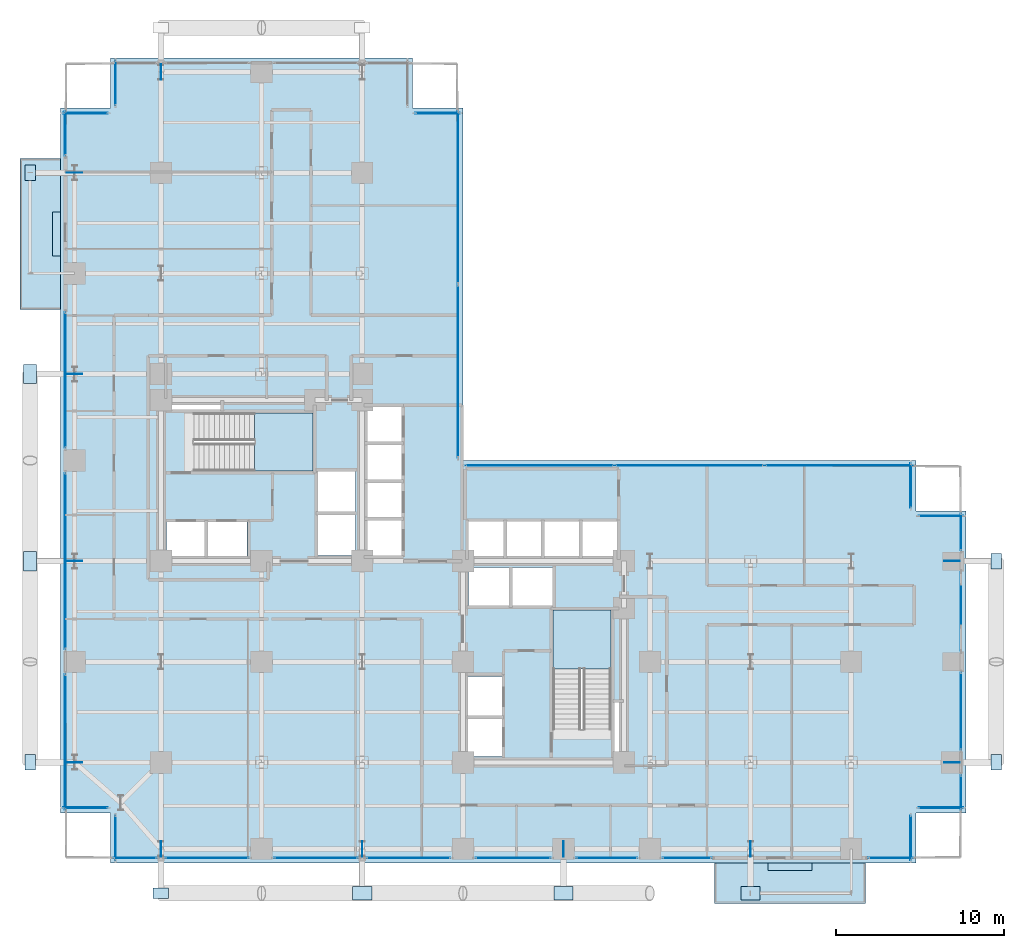
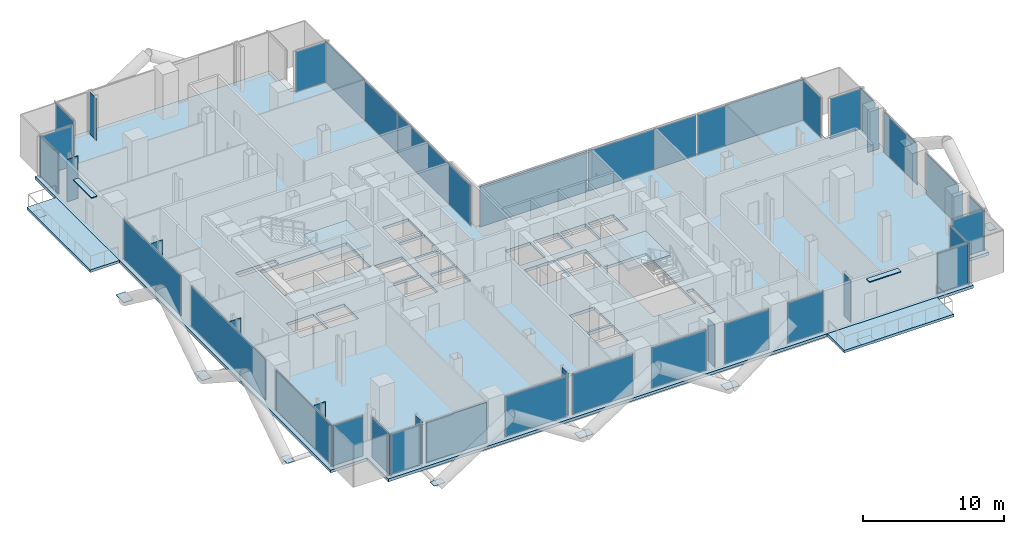
# One storey, part 17 of 27: 53 plates, 5 slabs, 29 elements without a shape of their own.
"""IFC4 building model written with IfcOpenShell, lengths in metres."""

import ifcopenshell
import ifcopenshell.guid

model = None  # the IFC model being written
_history = None  # IfcOwnerHistory: only IFC2X3 demands one
_inside = {}  # id of a spatial element -> (the spatial element, [elements in it])
_under = {}  # id of a project, library or spatial element -> (it, [spatial elements below it])
_declared = {}  # id of a project -> (the project, [libraries it declares])
_typed = {}  # id of a type object -> (the type object, [elements of that type])
_made_of = {}  # id of a material, layer set ... -> (it, [elements and type objects made of it])


def new_model(schema):
    """Start an empty IFC model of exactly this schema.

    Asked for "IFC4X3", IfcOpenShell would pick the latest addendum, in which some entities
    have other attributes; the version numbers below select the first issue.
    IFC2X3 requires an IfcOwnerHistory on every rooted entity: one is made here for all.
    """
    global model, _history
    if schema == "IFC4X3":
        model = ifcopenshell.file(schema_version=(4, 3, 0, 0))
    else:
        model = ifcopenshell.file(schema=schema)
    _inside.clear()
    _under.clear()
    _declared.clear()
    _typed.clear()
    _made_of.clear()
    _history = None
    if model.schema == "IFC2X3":
        org = make("IfcOrganization", Name="unknown")
        user = make(
            "IfcPersonAndOrganization",
            ThePerson=make("IfcPerson", FamilyName="unknown"),
            TheOrganization=org,
        )
        app = make(
            "IfcApplication",
            ApplicationDeveloper=org,
            Version="unknown",
            ApplicationFullName="unknown",
            ApplicationIdentifier="unknown",
        )
        _history = make(
            "IfcOwnerHistory",
            OwningUser=user,
            OwningApplication=app,
            ChangeAction="ADDED",
            CreationDate=0,
        )
    return model


def make(cls, **values):
    """One entity of the class cls with the attributes given. An attribute that is None is left unset."""
    return model.create_entity(
        cls, **{name: value for name, value in values.items() if value is not None}
    )


def rooted(cls, **values):
    """An entity with a GlobalId (a new one), such as an element, a storey or a relation."""
    return make(cls, GlobalId=ifcopenshell.guid.new(), OwnerHistory=_history, **values)


def si_unit(unit_type, name, prefix=None):
    """IfcSIUnit, for example si_unit("LENGTHUNIT", "METRE", prefix="MILLI")."""
    return make("IfcSIUnit", UnitType=unit_type, Prefix=prefix, Name=name)


def assignment(units):
    """IfcUnitAssignment: the units of a project."""
    return None if units is None else make("IfcUnitAssignment", Units=units)


def point(xyz):
    """IfcCartesianPoint."""
    return None if xyz is None else make("IfcCartesianPoint", Coordinates=xyz)


def direction(xyz):
    """IfcDirection."""
    return None if xyz is None else make("IfcDirection", DirectionRatios=xyz)


def frame(location, z_axis=None, x_axis=None):
    """IfcAxis2Placement3D, a coordinate frame: its origin and axes. An axis left out is left unset."""
    return make(
        "IfcAxis2Placement3D",
        Location=point(location),
        Axis=direction(z_axis),
        RefDirection=direction(x_axis),
    )


def frame_2d(location, x_axis=None):
    """IfcAxis2Placement2D, a coordinate frame in the plane: its origin and x axis."""
    return make(
        "IfcAxis2Placement2D", Location=point(location), RefDirection=direction(x_axis)
    )


def origin():
    """The frame at (0, 0, 0) with its axes left unset."""
    return frame((0.0, 0.0, 0.0))


def origin_2d():
    """The frame at (0, 0) in the plane with its x axis left unset."""
    return frame_2d((0.0, 0.0))


def place(relative_to, where):
    """IfcLocalPlacement: puts the frame where relative to a parent placement (None: the world)."""
    return make(
        "IfcLocalPlacement", PlacementRelTo=relative_to, RelativePlacement=where
    )


def context(
    kind, dimensions, precision=None, world=None, true_north=None, identifier=None
):
    """IfcGeometricRepresentationContext, for example the 3D "Model" context."""
    return make(
        "IfcGeometricRepresentationContext",
        ContextIdentifier=identifier,
        ContextType=kind,
        CoordinateSpaceDimension=dimensions,
        Precision=precision,
        WorldCoordinateSystem=world,
        TrueNorth=true_north,
    )


def subcontext(parent, identifier, kind, view, scale=None):
    """IfcGeometricRepresentationSubContext, for example "Body" below "Model"."""
    return make(
        "IfcGeometricRepresentationSubContext",
        ContextIdentifier=identifier,
        ContextType=kind,
        ParentContext=parent,
        TargetScale=scale,
        TargetView=view,
    )


def project(units=None, contexts=None):
    """IfcProject with its units and contexts."""
    return rooted(
        "IfcProject",
        Name="project",
        RepresentationContexts=contexts,
        UnitsInContext=assignment(units),
    )


def spatial(cls, under=None, at=None, **own):
    """A site, building, storey or space (cls), placed at a placement, below another one or the project."""
    s = rooted(cls, ObjectPlacement=at, **own)
    if under is not None:
        _under.setdefault(under.id(), (under, []))[1].append(s)
    return s


def polyline(points):
    """IfcPolyline through the points."""
    return make("IfcPolyline", Points=[point(p) for p in points])


def profile(cls, at=None, kind="AREA", **sizes):
    """A parametric profile (cls). Its sizes go by their IFC names, for example OverallWidth=200.0."""
    return make(cls, ProfileType=kind, Position=at, **sizes)


def rectangle(**sizes):
    """IfcRectangleProfileDef."""
    return profile("IfcRectangleProfileDef", **sizes)


def outline(outer, holes=None, kind="AREA"):
    """IfcArbitraryClosedProfileDef: a profile drawn as a closed curve; with holes, ...WithVoids."""
    if holes is None:
        return make("IfcArbitraryClosedProfileDef", ProfileType=kind, OuterCurve=outer)
    return make(
        "IfcArbitraryProfileDefWithVoids",
        ProfileType=kind,
        OuterCurve=outer,
        InnerCurves=holes,
    )


def extrude(swept, where, along, depth):
    """IfcExtrudedAreaSolid: the profile swept, set in the frame where, extruded along a direction by depth."""
    return make(
        "IfcExtrudedAreaSolid",
        SweptArea=swept,
        Position=where,
        ExtrudedDirection=direction(along),
        Depth=depth,
    )


def shape(context_of_items, identifier, shape_type, items):
    """IfcShapeRepresentation: the items that make up one representation, for example the "Body"."""
    return make(
        "IfcShapeRepresentation",
        ContextOfItems=context_of_items,
        RepresentationIdentifier=identifier,
        RepresentationType=shape_type,
        Items=items,
    )


def material(Name=None, Category=None):
    """IfcMaterial."""
    return make("IfcMaterial", Name=Name, Category=Category)


def layer(
    of_material, thickness, ventilated=None, Name=None, Category=None, Priority=None
):
    """IfcMaterialLayer: one layer of a wall or slab, of a material (None: an air gap)."""
    return make(
        "IfcMaterialLayer",
        Material=of_material,
        LayerThickness=thickness,
        IsVentilated=ventilated,
        Name=Name,
        Category=Category,
        Priority=Priority,
    )


def layer_set(layers, Name=None):
    """IfcMaterialLayerSet."""
    return make("IfcMaterialLayerSet", MaterialLayers=layers, LayerSetName=Name)


def made_of(thing, what):
    """Note that an element or type object is made of a material, layer set ...; save() writes the relation."""
    if what is not None:
        _made_of.setdefault(what.id(), (what, []))[1].append(thing)
    return thing


def type_object(cls, material=None, **own):
    """A type object (cls), such as IfcWallType, which elements share."""
    return made_of(rooted(cls, **own), material)


def element(
    cls,
    number,
    at=None,
    inside=None,
    cuts=None,
    type_object=None,
    material=None,
    context=None,
    identifier="Body",
    shape_type=None,
    held_by="IfcProductDefinitionShape",
    body=None,
    shapes=None,
    **own,
):
    """One element of the class cls, such as IfcWall. Its Tag is "e" and its number.

    at: its placement. inside: the storey or other place that contains it. cuts: it is an
    opening in that element (IfcRelVoidsElement). A single representation is given by context,
    identifier, shape_type and body (its items); several are given by shapes. held_by: the class
    of the entity that holds the representations. save() writes the other relations.
    """
    e = rooted(cls, Tag="e%d" % number, ObjectPlacement=at, **own)
    if body is not None:
        shapes = [shape(context, identifier, shape_type, body)]
    if shapes is not None:
        e.Representation = make(held_by, Representations=shapes)
    if inside is not None:
        _inside.setdefault(inside.id(), (inside, []))[1].append(e)
    if cuts is not None:
        rooted(
            "IfcRelVoidsElement", RelatingBuildingElement=cuts, RelatedOpeningElement=e
        )
    if type_object is not None:
        _typed.setdefault(type_object.id(), (type_object, []))[1].append(e)
    return made_of(e, material)


def aggregate(whole, parts):
    """IfcRelAggregates: a whole, such as a stair, and the parts it consists of."""
    return rooted("IfcRelAggregates", RelatingObject=whole, RelatedObjects=parts)


def save(model, path):
    """Write the relations noted so far, then the file.

    IfcRelAggregates (storeys below a building ...), IfcRelContainedInSpatialStructure (elements
    in a storey), IfcRelDefinesByType, IfcRelAssociatesMaterial and IfcRelDeclares: one each for
    every whole, place, type object, material and project.
    """
    for whole, parts in _under.values():
        aggregate(whole, parts)
    for where, things in _inside.values():
        rooted(
            "IfcRelContainedInSpatialStructure",
            RelatedElements=things,
            RelatingStructure=where,
        )
    for kind, things in _typed.values():
        rooted("IfcRelDefinesByType", RelatedObjects=things, RelatingType=kind)
    for what, things in _made_of.values():
        rooted("IfcRelAssociatesMaterial", RelatedObjects=things, RelatingMaterial=what)
    for by, libraries in _declared.values():
        rooted("IfcRelDeclares", RelatingContext=by, RelatedDefinitions=libraries)
    model.write(path)


model = new_model("IFC4")

# Units and contexts
model_context = context("Model", 3, precision=1e-05, world=origin(), true_north=direction((0.0, 1.0)))
body_context = subcontext(model_context, "Body", "Model", "MODEL_VIEW")
ifc_project = project(units=[si_unit("LENGTHUNIT", "METRE"), si_unit("AREAUNIT", "SQUARE_METRE"), si_unit("VOLUMEUNIT", "CUBIC_METRE"), si_unit("PLANEANGLEUNIT", "RADIAN"), si_unit("MASSUNIT", "GRAM", prefix="KILO"), si_unit("THERMODYNAMICTEMPERATUREUNIT", "KELVIN"), si_unit("POWERUNIT", "WATT")], contexts=[model_context])

# Site, building, storey
site_placement = place(None, origin())
site = spatial("IfcSite", under=ifc_project, at=site_placement, CompositionType="ELEMENT")
building_placement = place(site_placement, origin())
building = spatial("IfcBuilding", under=site, at=building_placement, Name="Svarakhadi Broadcast Tower", CompositionType="ELEMENT")
storey_placement = place(building_placement, frame((0.0, 0.0, 87.0)))
storey = spatial("IfcBuildingStorey", under=building, at=storey_placement, Name="L20", CompositionType="ELEMENT", Elevation=87.0)

# Curtain wall, plate
ifc_material_1 = material(Name="Anodised Bronze Aluminium AA 6063-T6", Category="aluminium")
ifc_layer_1 = layer(ifc_material_1, 0.219970703125)
ifc_layer_set_1 = layer_set([ifc_layer_1], Name="Anodised Bronze Aluminium AA 6063-T6")
curtain_wall_type = type_object("IfcCurtainWallType", Name="CW_Sys_02", PredefinedType="NOTDEFINED", material=ifc_layer_set_1)
curtain_wall_1_placement = place(storey_placement, origin())
curtain_wall_1 = element("IfcCurtainWall", 1, at=curtain_wall_1_placement, inside=storey, type_object=curtain_wall_type, Name="L20 Unitised Facade Curtain Wall 01", PredefinedType="NOTDEFINED")
ifc_material_2 = material(Name="Double Low-E Laminated Acoustic Glass IGU 36 mm", Category="glass")
ifc_layer_2 = layer(ifc_material_2, 0.035888671875)
ifc_layer_set_2 = layer_set([ifc_layer_2], Name="Double Low-E Laminated Acoustic Glass IGU 36 mm")
plate_type_1 = type_object("IfcPlateType", Name="CW_Sys_02_Pnl", PredefinedType="CURTAIN_PANEL", material=ifc_layer_set_2)
plate_1_placement = place(storey_placement, frame((1.5, 3.300048828125, 0.074951171875), z_axis=(0.0, 0.0, 1.0), x_axis=(-1.0, 0.0, 0.0)))
plate_1 = element("IfcPlate", 2, at=plate_1_placement, type_object=plate_type_1, Name="CW-02 panel 1.1", PredefinedType="CURTAIN_PANEL", context=body_context, shape_type="SweptSolid", body=[
    extrude(rectangle(XDim=2.64990234375, YDim=0.035888671875, at=origin_2d()), origin(), (0.0, 0.0, 1.0), 3.5),
])
aggregate(curtain_wall_1, [plate_1])

curtain_wall_2_placement = place(storey_placement, origin())
curtain_wall_2 = element("IfcCurtainWall", 3, at=curtain_wall_2_placement, inside=storey, type_object=curtain_wall_type, Name="L20 West Curtain Wall 02 Bay 1", PredefinedType="NOTDEFINED")
plate_2_placement = place(storey_placement, frame((0.300048828125, 7.2099609375, 0.074951171875), z_axis=(0.0, 0.0, 1.0), x_axis=(0.0, 1.0, 0.0)))
plate_2 = element("IfcPlate", 4, at=plate_2_placement, type_object=plate_type_1, Name="CW-02 panel 1.1", PredefinedType="CURTAIN_PANEL", context=body_context, shape_type="SweptSolid", body=[
    extrude(rectangle(XDim=8.070068359375, YDim=0.035888671875, at=origin_2d()), origin(), (0.0, 0.0, 1.0), 3.5),
])
aggregate(curtain_wall_2, [plate_2])

curtain_wall_3_placement = place(storey_placement, origin())
curtain_wall_3 = element("IfcCurtainWall", 5, at=curtain_wall_3_placement, inside=storey, type_object=curtain_wall_type, Name="L20 West Curtain Wall 02 Bay 2", PredefinedType="NOTDEFINED")
plate_3_placement = place(storey_placement, frame((0.300048828125, 18.0, 0.074951171875), z_axis=(0.0, 0.0, 1.0), x_axis=(0.0, 1.0, 0.0)))
plate_3 = element("IfcPlate", 6, at=plate_3_placement, type_object=plate_type_1, Name="CW-02 panel 1.1", PredefinedType="CURTAIN_PANEL", context=body_context, shape_type="SweptSolid", body=[
    extrude(rectangle(XDim=10.489990234375, YDim=0.035888671875, at=origin_2d()), origin(), (0.0, 0.0, 1.0), 3.5),
])
aggregate(curtain_wall_3, [plate_3])

curtain_wall_4_placement = place(storey_placement, origin())
curtain_wall_4 = element("IfcCurtainWall", 7, at=curtain_wall_4_placement, inside=storey, type_object=curtain_wall_type, Name="L20 West Curtain Wall 02 Bay 3", PredefinedType="NOTDEFINED")
plate_4_placement = place(storey_placement, frame((0.300048828125, 28.7900390625, 0.074951171875), z_axis=(0.0, 0.0, 1.0), x_axis=(0.0, 1.0, 0.0)))
plate_4 = element("IfcPlate", 8, at=plate_4_placement, type_object=plate_type_1, Name="CW-02 panel 1.1", PredefinedType="CURTAIN_PANEL", context=body_context, shape_type="SweptSolid", body=[
    extrude(rectangle(XDim=8.070068359375, YDim=0.035888671875, at=origin_2d()), origin(), (0.0, 0.0, 1.0), 3.5),
])
aggregate(curtain_wall_4, [plate_4])

curtain_wall_5_placement = place(storey_placement, origin())
curtain_wall_5 = element("IfcCurtainWall", 9, at=curtain_wall_5_placement, inside=storey, type_object=curtain_wall_type, Name="L20 West Curtain Wall 03", PredefinedType="NOTDEFINED")
plate_5_placement = place(storey_placement, frame((0.300048828125, 43.5, 0.074951171875), z_axis=(0.0, 0.0, 1.0), x_axis=(0.0, 1.0, 0.0)))
plate_5 = element("IfcPlate", 10, at=plate_5_placement, type_object=plate_type_1, Name="CW-02 panel 1.1", PredefinedType="CURTAIN_PANEL", context=body_context, shape_type="SweptSolid", body=[
    extrude(rectangle(XDim=2.64990234375, YDim=0.035888671875, at=origin_2d()), origin(), (0.0, 0.0, 1.0), 3.5),
])
aggregate(curtain_wall_5, [plate_5])

curtain_wall_6_placement = place(storey_placement, origin())
curtain_wall_6 = element("IfcCurtainWall", 11, at=curtain_wall_6_placement, inside=storey, type_object=curtain_wall_type, Name="L20 Unitised Facade Curtain Wall 04", PredefinedType="NOTDEFINED")
plate_6_placement = place(storey_placement, frame((1.5, 44.699951171875, 0.074951171875), z_axis=(0.0, 0.0, 1.0), x_axis=(1.0, 0.0, 0.0)))
plate_6 = element("IfcPlate", 12, at=plate_6_placement, type_object=plate_type_1, Name="CW-02 panel 1.1", PredefinedType="CURTAIN_PANEL", context=body_context, shape_type="SweptSolid", body=[
    extrude(rectangle(XDim=2.64990234375, YDim=0.035888671875, at=origin_2d()), origin(), (0.0, 0.0, 1.0), 3.5),
])
aggregate(curtain_wall_6, [plate_6])

curtain_wall_7_placement = place(storey_placement, origin())
curtain_wall_7 = element("IfcCurtainWall", 13, at=curtain_wall_7_placement, inside=storey, type_object=curtain_wall_type, Name="L20 Unitised Facade Curtain Wall 05", PredefinedType="NOTDEFINED")
plate_7_placement = place(storey_placement, frame((3.300048828125, 46.5, 0.074951171875), z_axis=(0.0, 0.0, 1.0), x_axis=(0.0, 1.0, 0.0)))
plate_7 = element("IfcPlate", 14, at=plate_7_placement, type_object=plate_type_1, Name="CW-02 panel 1.1", PredefinedType="CURTAIN_PANEL", context=body_context, shape_type="SweptSolid", body=[
    extrude(rectangle(XDim=2.64990234375, YDim=0.035888671875, at=origin_2d()), origin(), (0.0, 0.0, 1.0), 3.5),
])
aggregate(curtain_wall_7, [plate_7])

curtain_wall_8_placement = place(storey_placement, origin())
curtain_wall_8 = element("IfcCurtainWall", 15, at=curtain_wall_8_placement, inside=storey, type_object=curtain_wall_type, Name="L20 Unitised Facade Curtain Wall 08", PredefinedType="NOTDEFINED")
plate_8_placement = place(storey_placement, frame((22.5, 44.699951171875, 0.074951171875), z_axis=(0.0, 0.0, 1.0), x_axis=(1.0, 0.0, 0.0)))
plate_8 = element("IfcPlate", 16, at=plate_8_placement, type_object=plate_type_1, Name="CW-02 panel 1.1", PredefinedType="CURTAIN_PANEL", context=body_context, shape_type="SweptSolid", body=[
    extrude(rectangle(XDim=2.64990234375, YDim=0.035888671875, at=origin_2d()), origin(), (0.0, 0.0, 1.0), 3.5),
])
aggregate(curtain_wall_8, [plate_8])

# Curtain wall, plates
curtain_wall_9_placement = place(storey_placement, origin())
curtain_wall_9 = element("IfcCurtainWall", 17, at=curtain_wall_9_placement, inside=storey, type_object=curtain_wall_type, Name="L20 Unitised Facade Curtain Wall 09", PredefinedType="NOTDEFINED")
plate_9_placement = place(storey_placement, frame((23.699951171875, 39.683837890625, 0.074951171875), z_axis=(0.0, 0.0, 1.0), x_axis=(0.0, -1.0, 0.0)))
plate_9 = element("IfcPlate", 18, at=plate_9_placement, type_object=plate_type_1, Name="CW-02 panel 1.1", PredefinedType="CURTAIN_PANEL", context=body_context, shape_type="SweptSolid", body=[
    extrude(rectangle(XDim=10.282470703125, YDim=0.035888671875, at=origin_2d()), origin(), (0.0, 0.0, 1.0), 3.5),
])
plate_10_placement = place(storey_placement, frame((23.699951171875, 29.316162109375, 0.074951171875), z_axis=(0.0, 0.0, 1.0), x_axis=(0.0, -1.0, 0.0)))
plate_10 = element("IfcPlate", 19, at=plate_10_placement, type_object=plate_type_1, Name="CW-02 panel 2.1", PredefinedType="CURTAIN_PANEL", context=body_context, shape_type="SweptSolid", body=[
    extrude(rectangle(XDim=10.282470703125, YDim=0.035888671875, at=origin_2d()), origin(), (0.0, 0.0, 1.0), 3.5),
])
aggregate(curtain_wall_9, [plate_9, plate_10])

curtain_wall_10_placement = place(storey_placement, origin())
curtain_wall_10 = element("IfcCurtainWall", 20, at=curtain_wall_10_placement, inside=storey, type_object=curtain_wall_type, Name="L20 Unitised Facade Curtain Wall 10", PredefinedType="NOTDEFINED")
plate_11_placement = place(storey_placement, frame((28.581298828125, 23.699951171875, 0.074951171875), z_axis=(0.0, 0.0, 1.0), x_axis=(1.0, 0.0, 0.0)))
plate_11 = element("IfcPlate", 21, at=plate_11_placement, type_object=plate_type_1, Name="CW-02 panel 1.1", PredefinedType="CURTAIN_PANEL", context=body_context, shape_type="SweptSolid", body=[
    extrude(rectangle(XDim=8.8125, YDim=0.035888671875, at=origin_2d()), origin(), (0.0, 0.0, 1.0), 3.5),
])
plate_12_placement = place(storey_placement, frame((37.5, 23.699951171875, 0.074951171875), z_axis=(0.0, 0.0, 1.0), x_axis=(1.0, 0.0, 0.0)))
plate_12 = element("IfcPlate", 22, at=plate_12_placement, type_object=plate_type_1, Name="CW-02 panel 2.1", PredefinedType="CURTAIN_PANEL", context=body_context, shape_type="SweptSolid", body=[
    extrude(rectangle(XDim=8.85498046875, YDim=0.035888671875, at=origin_2d()), origin(), (0.0, 0.0, 1.0), 3.5),
])
plate_13_placement = place(storey_placement, frame((46.418701171875, 23.699951171875, 0.074951171875), z_axis=(0.0, 0.0, 1.0), x_axis=(1.0, 0.0, 0.0)))
plate_13 = element("IfcPlate", 23, at=plate_13_placement, type_object=plate_type_1, Name="CW-02 panel 3.1", PredefinedType="CURTAIN_PANEL", context=body_context, shape_type="SweptSolid", body=[
    extrude(rectangle(XDim=8.8125, YDim=0.035888671875, at=origin_2d()), origin(), (0.0, 0.0, 1.0), 3.5),
])
aggregate(curtain_wall_10, [plate_11, plate_12, plate_13])

# Curtain wall, plate
curtain_wall_11_placement = place(storey_placement, origin())
curtain_wall_11 = element("IfcCurtainWall", 24, at=curtain_wall_11_placement, inside=storey, type_object=curtain_wall_type, Name="L20 Unitised Facade Curtain Wall 11", PredefinedType="NOTDEFINED")
plate_14_placement = place(storey_placement, frame((50.699951171875, 22.5, 0.074951171875), z_axis=(0.0, 0.0, 1.0), x_axis=(0.0, -1.0, 0.0)))
plate_14 = element("IfcPlate", 25, at=plate_14_placement, type_object=plate_type_1, Name="CW-02 panel 1.1", PredefinedType="CURTAIN_PANEL", context=body_context, shape_type="SweptSolid", body=[
    extrude(rectangle(XDim=2.64990234375, YDim=0.035888671875, at=origin_2d()), origin(), (0.0, 0.0, 1.0), 3.5),
])
aggregate(curtain_wall_11, [plate_14])

curtain_wall_12_placement = place(storey_placement, origin())
curtain_wall_12 = element("IfcCurtainWall", 26, at=curtain_wall_12_placement, inside=storey, type_object=curtain_wall_type, Name="L20 Unitised Facade Curtain Wall 12", PredefinedType="NOTDEFINED")
plate_15_placement = place(storey_placement, frame((52.5, 20.699951171875, 0.074951171875), z_axis=(0.0, 0.0, 1.0), x_axis=(1.0, 0.0, 0.0)))
plate_15 = element("IfcPlate", 27, at=plate_15_placement, type_object=plate_type_1, Name="CW-02 panel 1.1", PredefinedType="CURTAIN_PANEL", context=body_context, shape_type="SweptSolid", body=[
    extrude(rectangle(XDim=2.64990234375, YDim=0.035888671875, at=origin_2d()), origin(), (0.0, 0.0, 1.0), 3.5),
])
aggregate(curtain_wall_12, [plate_15])

curtain_wall_13_placement = place(storey_placement, origin())
curtain_wall_13 = element("IfcCurtainWall", 28, at=curtain_wall_13_placement, inside=storey, type_object=curtain_wall_type, Name="L20 Unitised Facade Curtain Wall 13 Bay 1", PredefinedType="NOTDEFINED")
plate_16_placement = place(storey_placement, frame((53.699951171875, 19.739990234375, 0.074951171875), z_axis=(0.0, 0.0, 1.0), x_axis=(0.0, -1.0, 0.0)))
plate_16 = element("IfcPlate", 29, at=plate_16_placement, type_object=plate_type_1, Name="CW-02 panel 1.1", PredefinedType="CURTAIN_PANEL", context=body_context, shape_type="SweptSolid", body=[
    extrude(rectangle(XDim=2.169921875, YDim=0.035888671875, at=origin_2d()), origin(), (0.0, 0.0, 1.0), 3.5),
])
aggregate(curtain_wall_13, [plate_16])

curtain_wall_14_placement = place(storey_placement, origin())
curtain_wall_14 = element("IfcCurtainWall", 30, at=curtain_wall_14_placement, inside=storey, type_object=curtain_wall_type, Name="L20 Unitised Facade Curtain Wall 13 Bay 2", PredefinedType="NOTDEFINED")
plate_17_placement = place(storey_placement, frame((53.699951171875, 15.0, 0.074951171875), z_axis=(0.0, 0.0, 1.0), x_axis=(0.0, -1.0, 0.0)))
plate_17 = element("IfcPlate", 31, at=plate_17_placement, type_object=plate_type_1, Name="CW-02 panel 1.1", PredefinedType="CURTAIN_PANEL", context=body_context, shape_type="SweptSolid", body=[
    extrude(rectangle(XDim=4.68994140625, YDim=0.035888671875, at=origin_2d()), origin(), (0.0, 0.0, 1.0), 3.5),
])
aggregate(curtain_wall_14, [plate_17])

curtain_wall_15_placement = place(storey_placement, origin())
curtain_wall_15 = element("IfcCurtainWall", 32, at=curtain_wall_15_placement, inside=storey, type_object=curtain_wall_type, Name="L20 Unitised Facade Curtain Wall 13 Bay 3", PredefinedType="NOTDEFINED")
plate_18_placement = place(storey_placement, frame((53.699951171875, 9.050048828125, 0.074951171875), z_axis=(0.0, 0.0, 1.0), x_axis=(0.0, -1.0, 0.0)))
plate_18 = element("IfcPlate", 33, at=plate_18_placement, type_object=plate_type_1, Name="CW-02 panel 1.1", PredefinedType="CURTAIN_PANEL", context=body_context, shape_type="SweptSolid", body=[
    extrude(rectangle(XDim=4.590087890625, YDim=0.035888671875, at=origin_2d()), origin(), (0.0, 0.0, 1.0), 3.5),
])
aggregate(curtain_wall_15, [plate_18])

curtain_wall_16_placement = place(storey_placement, origin())
curtain_wall_16 = element("IfcCurtainWall", 34, at=curtain_wall_16_placement, inside=storey, type_object=curtain_wall_type, Name="L20 Unitised Facade Curtain Wall 13 Bay 4", PredefinedType="NOTDEFINED")
plate_19_placement = place(storey_placement, frame((53.699951171875, 4.2099609375, 0.074951171875), z_axis=(0.0, 0.0, 1.0), x_axis=(0.0, -1.0, 0.0)))
plate_19 = element("IfcPlate", 35, at=plate_19_placement, type_object=plate_type_1, Name="CW-02 panel 1.1", PredefinedType="CURTAIN_PANEL", context=body_context, shape_type="SweptSolid", body=[
    extrude(rectangle(XDim=2.070068359375, YDim=0.035888671875, at=origin_2d()), origin(), (0.0, 0.0, 1.0), 3.5),
])
aggregate(curtain_wall_16, [plate_19])

curtain_wall_17_placement = place(storey_placement, origin())
curtain_wall_17 = element("IfcCurtainWall", 36, at=curtain_wall_17_placement, inside=storey, type_object=curtain_wall_type, Name="L20 Unitised Facade Curtain Wall 14", PredefinedType="NOTDEFINED")
plate_20_placement = place(storey_placement, frame((52.5, 3.300048828125, 0.074951171875), z_axis=(0.0, 0.0, 1.0), x_axis=(-1.0, 0.0, 0.0)))
plate_20 = element("IfcPlate", 37, at=plate_20_placement, type_object=plate_type_1, Name="CW-02 panel 1.1", PredefinedType="CURTAIN_PANEL", context=body_context, shape_type="SweptSolid", body=[
    extrude(rectangle(XDim=2.64990234375, YDim=0.035888671875, at=origin_2d()), origin(), (0.0, 0.0, 1.0), 3.5),
])
aggregate(curtain_wall_17, [plate_20])

curtain_wall_18_placement = place(storey_placement, origin())
curtain_wall_18 = element("IfcCurtainWall", 38, at=curtain_wall_18_placement, inside=storey, type_object=curtain_wall_type, Name="L20 Unitised Facade Curtain Wall 15", PredefinedType="NOTDEFINED")
plate_21_placement = place(storey_placement, frame((50.699951171875, 1.5, 0.074951171875), z_axis=(0.0, 0.0, 1.0), x_axis=(0.0, -1.0, 0.0)))
plate_21 = element("IfcPlate", 39, at=plate_21_placement, type_object=plate_type_1, Name="CW-02 panel 1.1", PredefinedType="CURTAIN_PANEL", context=body_context, shape_type="SweptSolid", body=[
    extrude(rectangle(XDim=2.64990234375, YDim=0.035888671875, at=origin_2d()), origin(), (0.0, 0.0, 1.0), 3.5),
])
aggregate(curtain_wall_18, [plate_21])

curtain_wall_19_placement = place(storey_placement, origin())
curtain_wall_19 = element("IfcCurtainWall", 40, at=curtain_wall_19_placement, inside=storey, type_object=curtain_wall_type, Name="L20 South Curtain Wall 16", PredefinedType="NOTDEFINED")
plate_22_placement = place(storey_placement, frame((49.5, 0.300048828125, 0.074951171875), z_axis=(0.0, 0.0, 1.0), x_axis=(-1.0, 0.0, 0.0)))
plate_22 = element("IfcPlate", 41, at=plate_22_placement, type_object=plate_type_1, Name="CW-02 panel 1.1", PredefinedType="CURTAIN_PANEL", context=body_context, shape_type="SweptSolid", body=[
    extrude(rectangle(XDim=2.64990234375, YDim=0.035888671875, at=origin_2d()), origin(), (0.0, 0.0, 1.0), 3.5),
])
aggregate(curtain_wall_19, [plate_22])

curtain_wall_20_placement = place(storey_placement, origin())
curtain_wall_20 = element("IfcCurtainWall", 42, at=curtain_wall_20_placement, inside=storey, type_object=curtain_wall_type, Name="L20 South Curtain Wall 17 Bay 1", PredefinedType="NOTDEFINED")
plate_23_placement = place(storey_placement, frame((37.364990234375, 0.300048828125, 0.074951171875), z_axis=(0.0, 0.0, 1.0), x_axis=(-1.0, 0.0, 0.0)))
plate_23 = element("IfcPlate", 43, at=plate_23_placement, type_object=plate_type_1, Name="CW-02 panel 1.1", PredefinedType="CURTAIN_PANEL", context=body_context, shape_type="SweptSolid", body=[
    extrude(rectangle(XDim=2.919921875, YDim=0.035888671875, at=origin_2d()), origin(), (0.0, 0.0, 1.0), 3.5),
])
aggregate(curtain_wall_20, [plate_23])

curtain_wall_21_placement = place(storey_placement, origin())
curtain_wall_21 = element("IfcCurtainWall", 44, at=curtain_wall_21_placement, inside=storey, type_object=curtain_wall_type, Name="L20 South Curtain Wall 17 Bay 2", PredefinedType="NOTDEFINED")
plate_24_placement = place(storey_placement, frame((32.574951171875, 0.300048828125, 0.074951171875), z_axis=(0.0, 0.0, 1.0), x_axis=(-1.0, 0.0, 0.0)))
plate_24 = element("IfcPlate", 45, at=plate_24_placement, type_object=plate_type_1, Name="CW-02 panel 1.1", PredefinedType="CURTAIN_PANEL", context=body_context, shape_type="SweptSolid", body=[
    extrude(rectangle(XDim=3.639892578125, YDim=0.035888671875, at=origin_2d()), origin(), (0.0, 0.0, 1.0), 3.5),
])
aggregate(curtain_wall_21, [plate_24])

curtain_wall_22_placement = place(storey_placement, origin())
curtain_wall_22 = element("IfcCurtainWall", 46, at=curtain_wall_22_placement, inside=storey, type_object=curtain_wall_type, Name="L20 South Curtain Wall 17 Bay 3", PredefinedType="NOTDEFINED")
plate_25_placement = place(storey_placement, frame((27.0, 0.300048828125, 0.074951171875), z_axis=(0.0, 0.0, 1.0), x_axis=(-1.0, 0.0, 0.0)))
plate_25 = element("IfcPlate", 47, at=plate_25_placement, type_object=plate_type_1, Name="CW-02 panel 1.1", PredefinedType="CURTAIN_PANEL", context=body_context, shape_type="SweptSolid", body=[
    extrude(rectangle(XDim=4.489990234375, YDim=0.035888671875, at=origin_2d()), origin(), (0.0, 0.0, 1.0), 3.5),
])
aggregate(curtain_wall_22, [plate_25])

curtain_wall_23_placement = place(storey_placement, origin())
curtain_wall_23 = element("IfcCurtainWall", 48, at=curtain_wall_23_placement, inside=storey, type_object=curtain_wall_type, Name="L20 South Curtain Wall 17 Bay 4", PredefinedType="NOTDEFINED")
plate_26_placement = place(storey_placement, frame((20.75, 0.300048828125, 0.074951171875), z_axis=(0.0, 0.0, 1.0), x_axis=(-1.0, 0.0, 0.0)))
plate_26 = element("IfcPlate", 49, at=plate_26_placement, type_object=plate_type_1, Name="CW-02 panel 1.1", PredefinedType="CURTAIN_PANEL", context=body_context, shape_type="SweptSolid", body=[
    extrude(rectangle(XDim=4.989990234375, YDim=0.035888671875, at=origin_2d()), origin(), (0.0, 0.0, 1.0), 3.5),
])
aggregate(curtain_wall_23, [plate_26])

curtain_wall_24_placement = place(storey_placement, origin())
curtain_wall_24 = element("IfcCurtainWall", 50, at=curtain_wall_24_placement, inside=storey, type_object=curtain_wall_type, Name="L20 South Curtain Wall 17 Bay 5", PredefinedType="NOTDEFINED")
plate_27_placement = place(storey_placement, frame((15.25, 0.300048828125, 0.074951171875), z_axis=(0.0, 0.0, 1.0), x_axis=(-1.0, 0.0, 0.0)))
plate_27 = element("IfcPlate", 51, at=plate_27_placement, type_object=plate_type_1, Name="CW-02 panel 1.1", PredefinedType="CURTAIN_PANEL", context=body_context, shape_type="SweptSolid", body=[
    extrude(rectangle(XDim=4.989990234375, YDim=0.035888671875, at=origin_2d()), origin(), (0.0, 0.0, 1.0), 3.5),
])
aggregate(curtain_wall_24, [plate_27])

curtain_wall_25_placement = place(storey_placement, origin())
curtain_wall_25 = element("IfcCurtainWall", 52, at=curtain_wall_25_placement, inside=storey, type_object=curtain_wall_type, Name="L20 South Curtain Wall 17 Bay 6", PredefinedType="NOTDEFINED")
plate_28_placement = place(storey_placement, frame((8.75, 0.300048828125, 0.074951171875), z_axis=(0.0, 0.0, 1.0), x_axis=(-1.0, 0.0, 0.0)))
plate_28 = element("IfcPlate", 53, at=plate_28_placement, type_object=plate_type_1, Name="CW-02 panel 1.1", PredefinedType="CURTAIN_PANEL", context=body_context, shape_type="SweptSolid", body=[
    extrude(rectangle(XDim=4.989990234375, YDim=0.035888671875, at=origin_2d()), origin(), (0.0, 0.0, 1.0), 3.5),
])
aggregate(curtain_wall_25, [plate_28])

curtain_wall_26_placement = place(storey_placement, origin())
curtain_wall_26 = element("IfcCurtainWall", 54, at=curtain_wall_26_placement, inside=storey, type_object=curtain_wall_type, Name="L20 South Curtain Wall 17 Bay 7", PredefinedType="NOTDEFINED")
plate_29_placement = place(storey_placement, frame((4.4599609375, 0.300048828125, 0.074951171875), z_axis=(0.0, 0.0, 1.0), x_axis=(-1.0, 0.0, 0.0)))
plate_29 = element("IfcPlate", 55, at=plate_29_placement, type_object=plate_type_1, Name="CW-02 panel 1.1", PredefinedType="CURTAIN_PANEL", context=body_context, shape_type="SweptSolid", body=[
    extrude(rectangle(XDim=2.570068359375, YDim=0.035888671875, at=origin_2d()), origin(), (0.0, 0.0, 1.0), 3.5),
])
aggregate(curtain_wall_26, [plate_29])

curtain_wall_27_placement = place(storey_placement, origin())
curtain_wall_27 = element("IfcCurtainWall", 56, at=curtain_wall_27_placement, inside=storey, type_object=curtain_wall_type, Name="L20 Unitised Facade Curtain Wall 18", PredefinedType="NOTDEFINED")
plate_30_placement = place(storey_placement, frame((3.300048828125, 1.5, 0.074951171875), z_axis=(0.0, 0.0, 1.0), x_axis=(0.0, 1.0, 0.0)))
plate_30 = element("IfcPlate", 57, at=plate_30_placement, type_object=plate_type_1, Name="CW-02 panel 1.1", PredefinedType="CURTAIN_PANEL", context=body_context, shape_type="SweptSolid", body=[
    extrude(rectangle(XDim=2.64990234375, YDim=0.035888671875, at=origin_2d()), origin(), (0.0, 0.0, 1.0), 3.5),
])
aggregate(curtain_wall_27, [plate_30])

# Plates
ifc_material_3 = material(Name="Steel S460ML (IS 2062 E450BR)", Category="steel")
ifc_layer_3 = layer(ifc_material_3, 0.035888671875)
ifc_layer_set_3 = layer_set([ifc_layer_3], Name="Steel S460ML (IS 2062 E450BR)")
plate_type_2 = type_object("IfcPlateType", Name="Node_Gusset_N01", PredefinedType="SHEET", material=ifc_layer_set_3)
for number, where, z_axis, x_axis, name in (
    (58, (18.0, -1.800048828125, -0.25), (0.0, 0.0, 1.0), (1.0, 0.0, 0.0), "L20 Exoskeleton Gusset Node Plate S02"),
    (59, (30.0, -1.800048828125, -0.25), (0.0, 0.0, 1.0), (1.0, 0.0, 0.0), "L20 Exoskeleton Gusset Node Plate S03"),
    (60, (41.14990234375, -1.800048828125, -0.25), (0.0, 0.0, 1.0), (1.0, 0.0, 0.0), "L20 Exoskeleton Gusset Node Plate S04"),
    (61, (-1.800048828125, 18.0, -0.25), (0.0, 0.0, 1.0), (0.0, 1.0, 0.0), "L20 Exoskeleton Gusset Node Plate W06"),
    (62, (-1.800048828125, 29.14990234375, -0.25), (0.0, 0.0, 1.0), (0.0, 1.0, 0.0), "L20 Exoskeleton Gusset Node Plate W07"),
):
    element("IfcPlate", number, at=place(storey_placement, frame(where, z_axis=z_axis, x_axis=x_axis)), inside=storey, type_object=plate_type_2, Name=name, PredefinedType="SHEET", context=body_context, shape_type="SweptSolid", body=[
        extrude(rectangle(XDim=1.14990234375, YDim=0.780029296875, at=origin_2d()), origin(), (0.0, 0.0, 1.0), 0.035888671875),
    ])
ifc_layer_4 = layer(ifc_material_3, 0.02587890625)
ifc_layer_set_4 = layer_set([ifc_layer_4], Name="Steel S460ML (IS 2062 E450BR)")
plate_type_3 = type_object("IfcPlateType", Name="Node_Gusset_N07", PredefinedType="SHEET", material=ifc_layer_set_4)
for number, where, z_axis, x_axis, name in (
    (63, (6.0, -1.800048828125, -0.25), (0.0, 0.0, 1.0), (1.0, 0.0, 0.0), "L20 Exoskeleton Gusset Node Plate S01"),
    (64, (-1.800048828125, 6.0, -0.25), (0.0, 0.0, 1.0), (0.0, 1.0, 0.0), "L20 Exoskeleton Gusset Node Plate W05"),
    (65, (-1.800048828125, 41.14990234375, -0.25), (0.0, 0.0, 1.0), (0.0, 1.0, 0.0), "L20 Exoskeleton Gusset Node Plate W08"),
    (66, (55.800048828125, 6.0, -0.25), (0.0, 0.0, 1.0), (0.0, 1.0, 0.0), "L20 Exoskeleton Gusset Node Plate E09"),
    (67, (55.800048828125, 18.0, -0.25), (0.0, 0.0, 1.0), (0.0, 1.0, 0.0), "L20 Exoskeleton Gusset Node Plate E10"),
):
    element("IfcPlate", number, at=place(storey_placement, frame(where, z_axis=z_axis, x_axis=x_axis)), inside=storey, type_object=plate_type_3, Name=name, PredefinedType="SHEET", context=body_context, shape_type="SweptSolid", body=[
        extrude(rectangle(XDim=0.919921875, YDim=0.6201171875, at=origin_2d()), origin(), (0.0, 0.0, 1.0), 0.02587890625),
    ])
for number, where, z_axis, x_axis, name in (
    (68, (6.0, 0.85009765625, -0.6279296875), (0.0, 0.0, 1.0), (0.0, 1.0, 0.0), "L20 Brace End Connection Gusset Plate N-07-E0148"),
    (69, (18.0, 0.85009765625, -0.6279296875), (0.0, 0.0, 1.0), (0.0, 1.0, 0.0), "L20 Brace End Connection Gusset Plate N-07-E0149"),
    (70, (30.0, 0.85009765625, -0.6279296875), (0.0, 0.0, 1.0), (0.0, 1.0, 0.0), "L20 Brace End Connection Gusset Plate N-07-E0150"),
    (71, (41.14990234375, 0.85009765625, -0.6279296875), (0.0, 0.0, 1.0), (0.0, 1.0, 0.0), "L20 Brace End Connection Gusset Plate N-07-E0151"),
    (72, (0.85009765625, 6.0, -0.6279296875), (0.0, 0.0, 1.0), (1.0, 0.0, 0.0), "L20 Brace End Connection Gusset Plate N-07-E0152"),
    (73, (0.85009765625, 18.0, -0.6279296875), (0.0, 0.0, 1.0), (1.0, 0.0, 0.0), "L20 Brace End Connection Gusset Plate N-07-E0153"),
    (74, (0.85009765625, 29.14990234375, -0.6279296875), (0.0, 0.0, 1.0), (1.0, 0.0, 0.0), "L20 Brace End Connection Gusset Plate N-07-E0154"),
    (75, (0.85009765625, 41.14990234375, -0.6279296875), (0.0, 0.0, 1.0), (1.0, 0.0, 0.0), "L20 Brace End Connection Gusset Plate N-07-E0155"),
    (76, (53.14990234375, 6.0, -0.6279296875), (0.0, 0.0, 1.0), (1.0, 0.0, 0.0), "L20 Brace End Connection Gusset Plate N-07-E0156"),
    (77, (53.14990234375, 18.0, -0.6279296875), (0.0, 0.0, 1.0), (1.0, 0.0, 0.0), "L20 Brace End Connection Gusset Plate N-07-E0157"),
    (78, (6.0, 47.14990234375, -0.6279296875), (0.0, 0.0, 1.0), (0.0, 1.0, 0.0), "L20 Brace End Connection Gusset Plate N-07-E0158"),
):
    element("IfcPlate", number, at=place(storey_placement, frame(where, z_axis=z_axis, x_axis=x_axis)), inside=storey, type_object=plate_type_3, Name=name, PredefinedType="SHEET", context=body_context, shape_type="SweptSolid", body=[
        extrude(rectangle(XDim=0.919921875, YDim=0.02587890625, at=origin_2d()), origin(), (0.0, 0.0, 1.0), 4.300048828125),
    ])

# Slab
ifc_material_4 = material(Name="Concrete C40/50 (IS 456 M50)", Category="concrete")
ifc_layer_5 = layer(ifc_material_4, 0.25)
ifc_layer_set_5 = layer_set([ifc_layer_5], Name="Concrete C40/50 (IS 456 M50)")
slab_type_1 = type_object("IfcSlabType", Name="Slab_Floor_250", PredefinedType="FLOOR", material=ifc_layer_set_5)
slab_1_placement = place(storey_placement, frame((0.0, 0.0, -0.25)))
element("IfcSlab", 79, at=slab_1_placement, inside=storey, type_object=slab_type_1, Name="L20 Structural Floor Slab", PredefinedType="FLOOR", context=body_context, shape_type="SweptSolid", body=[
    extrude(outline(polyline([(3.0, 0.0), (51.0, 0.0), (51.0, 3.0), (54.0, 3.0), (54.0, 21.0), (51.0, 21.0), (51.0, 24.0), (24.0, 24.0), (24.0, 45.0), (21.0, 45.0), (21.0, 48.0), (3.0, 48.0), (3.0, 45.0), (0.0, 45.0), (0.0, 3.0), (3.0, 3.0), (3.0, 0.0)]), holes=[polyline([(7.97998046875, 23.360107421875), (15.080078125, 23.360107421875), (15.080078125, 26.840087890625), (7.97998046875, 26.840087890625), (7.97998046875, 23.360107421875)]), polyline([(32.840087890625, 7.97998046875), (32.840087890625, 15.080078125), (29.360107421875, 15.080078125), (29.360107421875, 7.97998046875), (32.840087890625, 7.97998046875)]), polyline([(6.340087890625, 18.2900390625), (8.610107421875, 18.2900390625), (8.610107421875, 20.330078125), (6.340087890625, 20.330078125), (6.340087890625, 18.2900390625)]), polyline([(8.7900390625, 18.2900390625), (11.1298828125, 18.2900390625), (11.1298828125, 20.330078125), (8.7900390625, 20.330078125), (8.7900390625, 18.2900390625)]), polyline([(24.2900390625, 6.340087890625), (26.330078125, 6.340087890625), (26.330078125, 8.610107421875), (24.2900390625, 8.610107421875), (24.2900390625, 6.340087890625)]), polyline([(24.2900390625, 8.7900390625), (26.330078125, 8.7900390625), (26.330078125, 11.1298828125), (24.2900390625, 11.1298828125), (24.2900390625, 8.7900390625)]), polyline([(6.340087890625, 26.989990234375), (9.610107421875, 26.989990234375), (9.610107421875, 27.530029296875), (6.340087890625, 27.530029296875), (6.340087890625, 26.989990234375)]), polyline([(32.989990234375, 6.340087890625), (33.530029296875, 6.340087890625), (33.530029296875, 9.610107421875), (32.989990234375, 9.610107421875), (32.989990234375, 6.340087890625)]), polyline([(15.340087890625, 18.340087890625), (17.610107421875, 18.340087890625), (17.610107421875, 20.760009765625), (15.340087890625, 20.760009765625), (15.340087890625, 18.340087890625)]), polyline([(15.340087890625, 20.93994140625), (17.610107421875, 20.93994140625), (17.610107421875, 23.360107421875), (15.340087890625, 23.360107421875), (15.340087890625, 20.93994140625)]), polyline([(24.340087890625, 15.340087890625), (26.760009765625, 15.340087890625), (26.760009765625, 17.610107421875), (24.340087890625, 17.610107421875), (24.340087890625, 15.340087890625)]), polyline([(26.93994140625, 15.340087890625), (29.360107421875, 15.340087890625), (29.360107421875, 17.610107421875), (26.93994140625, 17.610107421875), (26.93994140625, 15.340087890625)]), polyline([(18.239990234375, 18.340087890625), (20.360107421875, 18.340087890625), (20.360107421875, 20.429931640625), (18.239990234375, 20.429931640625), (18.239990234375, 18.340087890625)]), polyline([(18.239990234375, 20.610107421875), (20.360107421875, 20.610107421875), (20.360107421875, 22.679931640625), (18.239990234375, 22.679931640625), (18.239990234375, 20.610107421875)]), polyline([(18.239990234375, 22.860107421875), (20.360107421875, 22.860107421875), (20.360107421875, 24.929931640625), (18.239990234375, 24.929931640625), (18.239990234375, 22.860107421875)]), polyline([(18.239990234375, 25.110107421875), (20.360107421875, 25.110107421875), (20.360107421875, 27.2099609375), (18.239990234375, 27.2099609375), (18.239990234375, 25.110107421875)]), polyline([(24.340087890625, 18.239990234375), (26.429931640625, 18.239990234375), (26.429931640625, 20.360107421875), (24.340087890625, 20.360107421875), (24.340087890625, 18.239990234375)]), polyline([(26.610107421875, 18.239990234375), (28.679931640625, 18.239990234375), (28.679931640625, 20.360107421875), (26.610107421875, 20.360107421875), (26.610107421875, 18.239990234375)]), polyline([(28.860107421875, 18.239990234375), (30.929931640625, 18.239990234375), (30.929931640625, 20.360107421875), (28.860107421875, 20.360107421875), (28.860107421875, 18.239990234375)]), polyline([(31.110107421875, 18.239990234375), (33.2099609375, 18.239990234375), (33.2099609375, 20.360107421875), (31.110107421875, 20.360107421875), (31.110107421875, 18.239990234375)])]), origin(), (0.0, 0.0, 1.0), 0.25),
])

# Stair, slab
stair_type = type_object("IfcStairType", Name="Stair_Exit_Core", PredefinedType="HALF_TURN_STAIR", material=ifc_material_4)
stair_1_placement = place(storey_placement, origin())
stair_1 = element("IfcStair", 80, at=stair_1_placement, inside=storey, type_object=stair_type, Name="L20 West Core Protected Exit Stair ST-01", PredefinedType="HALF_TURN_STAIR")
ifc_layer_6 = layer(ifc_material_4, 0.199951171875)
ifc_layer_set_6 = layer_set([ifc_layer_6], Name="Concrete C40/50 (IS 456 M50)")
slab_type_2 = type_object("IfcSlabType", Name="Slab_Stair_Land", PredefinedType="LANDING", material=ifc_layer_set_6)
slab_2_placement = place(storey_placement, frame((0.0, 0.0, 1.75)))
slab_2 = element("IfcSlab", 81, at=slab_2_placement, type_object=slab_type_2, Name="ST-01 landing 1", PredefinedType="LANDING", context=body_context, shape_type="SweptSolid", body=[
    extrude(outline(polyline([(11.580078125, 23.360107421875), (15.080078125, 23.360107421875), (15.080078125, 26.840087890625), (11.580078125, 26.840087890625), (11.580078125, 23.360107421875)])), origin(), (0.0, 0.0, 1.0), 0.199951171875),
])
aggregate(stair_1, [slab_2])

stair_2_placement = place(storey_placement, origin())
stair_2 = element("IfcStair", 82, at=stair_2_placement, inside=storey, type_object=stair_type, Name="L20 East Core Protected Exit Stair ST-02", PredefinedType="HALF_TURN_STAIR")
slab_3_placement = place(storey_placement, frame((0.0, 0.0, 1.75)))
slab_3 = element("IfcSlab", 83, at=slab_3_placement, type_object=slab_type_2, Name="ST-02 landing 1", PredefinedType="LANDING", context=body_context, shape_type="SweptSolid", body=[
    extrude(outline(polyline([(32.840087890625, 11.580078125), (32.840087890625, 15.080078125), (29.360107421875, 15.080078125), (29.360107421875, 11.580078125), (32.840087890625, 11.580078125)])), origin(), (0.0, 0.0, 1.0), 0.199951171875),
])
aggregate(stair_2, [slab_3])

# Slabs
ifc_layer_7 = layer(ifc_material_4, 0.22509765625)
ifc_layer_set_7 = layer_set([ifc_layer_7], Name="Concrete C40/50 (IS 456 M50)")
slab_type_3 = type_object("IfcSlabType", Name="Slab_TreeBalcony", PredefinedType="FLOOR", material=ifc_layer_set_7)
slab_4_placement = place(storey_placement, frame((0.0, 0.0, -0.22509765625)))
element("IfcSlab", 84, at=slab_4_placement, inside=storey, type_object=slab_type_3, Name="L20 Planted Tree Balcony Slab BAL-E", PredefinedType="FLOOR", context=body_context, shape_type="SweptSolid", body=[
    extrude(outline(polyline([(39.0, -2.39990234375), (48.0, -2.39990234375), (48.0, 0.0), (39.0, 0.0), (39.0, -2.39990234375)])), origin(), (0.0, 0.0, 1.0), 0.22509765625),
])
slab_5_placement = place(storey_placement, frame((0.0, 0.0, -0.22509765625)))
element("IfcSlab", 85, at=slab_5_placement, inside=storey, type_object=slab_type_3, Name="L20 Planted Tree Balcony Slab BAL-N", PredefinedType="FLOOR", context=body_context, shape_type="SweptSolid", body=[
    extrude(outline(polyline([(-2.39990234375, 33.0), (0.0, 33.0), (0.0, 42.0), (-2.39990234375, 42.0), (-2.39990234375, 33.0)])), origin(), (0.0, 0.0, 1.0), 0.22509765625),
])

# Plates
ifc_layer_8 = layer(ifc_material_1, 0.080078125)
ifc_layer_set_8 = layer_set([ifc_layer_8], Name="Anodised Bronze Aluminium AA 6063-T6")
plate_type_4 = type_object("IfcPlateType", Name="Sunshade_Fin_SS01", PredefinedType="USERDEFINED", material=ifc_layer_set_8)
for number, where, z_axis, x_axis, name in (
    (86, (43.5, -0.22509765625, 3.570068359375), (0.0, 0.0, 1.0), (1.0, 0.0, 0.0), "L20 South Bronze Brise-Soleil Sunshade SS-01"),
    (87, (-0.22509765625, 37.5, 3.570068359375), (0.0, 0.0, 1.0), (0.0, 1.0, 0.0), "L20 West Bronze Brise-Soleil Sunshade SS-01"),
):
    element("IfcPlate", number, at=place(storey_placement, frame(where, z_axis=z_axis, x_axis=x_axis)), inside=storey, type_object=plate_type_4, Name=name, ObjectType="SUNSHADE", PredefinedType="USERDEFINED", context=body_context, shape_type="SweptSolid", body=[
        extrude(rectangle(XDim=2.60009765625, YDim=0.449951171875, at=origin_2d()), origin(), (0.0, 0.0, 1.0), 0.080078125),
    ])

save(model, "model.ifc")
